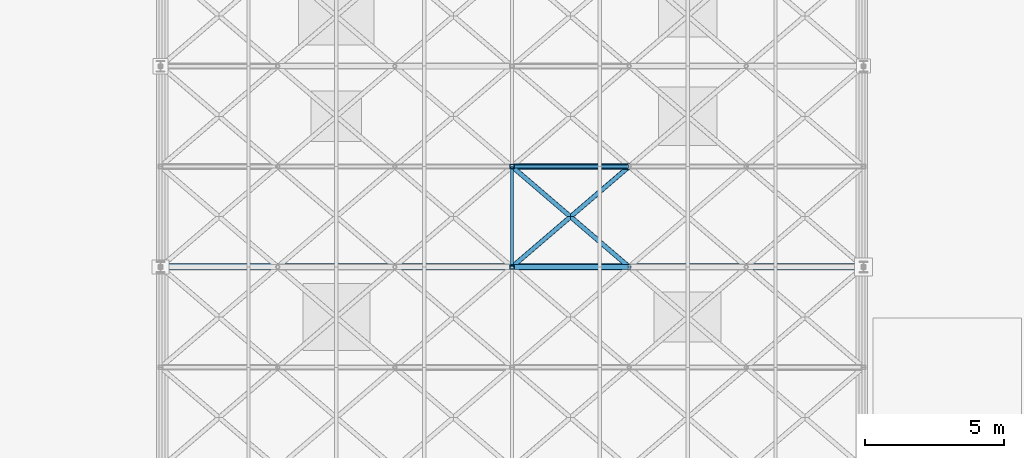
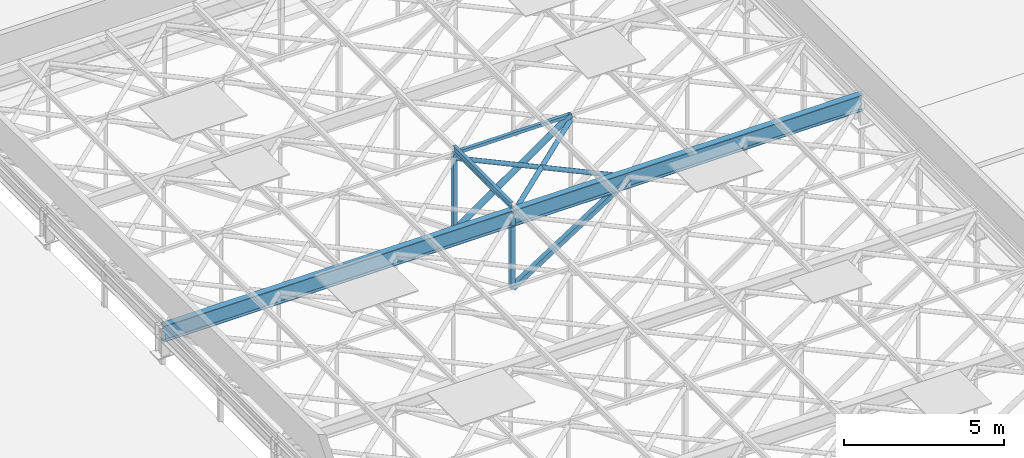
# One storey, part 20 of 45: 8 members, 1 beam.
"""IFC4 building model written with IfcOpenShell, lengths in metres."""

from ifc_helpers import new_model, si_unit, derived_unit, direction, frame, origin, origin_2d, place, context, subcontext, project, spatial, hollow_rectangle, hollow_circle, i_section, extrude, material, material_profile, profile_set, type_object, element, save


model = new_model("IFC4")

# Units and contexts
model_context = context("Model", 3, precision=1e-05, world=origin(), true_north=direction((0.0, 1.0)))
body_context = subcontext(model_context, "Body", "Model", "MODEL_VIEW")
ifc_project = project(units=[si_unit("LENGTHUNIT", "METRE"), si_unit("AREAUNIT", "SQUARE_METRE"), si_unit("VOLUMEUNIT", "CUBIC_METRE"), si_unit("PLANEANGLEUNIT", "RADIAN"), si_unit("MASSUNIT", "GRAM", prefix="KILO"), derived_unit("THERMALTRANSMITTANCEUNIT", [(si_unit("MASSUNIT", "GRAM", prefix="KILO"), 1), (si_unit("TIMEUNIT", "SECOND"), -3), (si_unit("THERMODYNAMICTEMPERATUREUNIT", "KELVIN"), -1)])], contexts=[model_context])

# Site, building, storey
site_placement = place(None, origin())
site = spatial("IfcSite", under=ifc_project, at=site_placement, CompositionType="ELEMENT")
building_placement = place(site_placement, origin())
building = spatial("IfcBuilding", under=site, at=building_placement, Name="Veldstrom Oceanarium and Marine Research Institute", CompositionType="ELEMENT")
storey_placement = place(building_placement, frame((0.0, 0.0, 22.199951171875)))
storey = spatial("IfcBuildingStorey", under=building, at=storey_placement, Name="L04", CompositionType="ELEMENT", Elevation=22.199951171875)

# Beam
ifc_material_1 = material(Name="Steel S355JR", Category="steel")
ifc_material_profile_1 = material_profile(ifc_material_1, i_section(OverallWidth=0.230224609375, OverallDepth=0.6171875, WebThickness=0.01318359375, FlangeThickness=0.022216796875, FilletRadius=0.0126953125, at=origin_2d()), Name="UB 610x229x140")
ifc_profile_set_1 = profile_set([ifc_material_profile_1], Name="Steel S355JR")
beam_type = type_object("IfcBeamType", Name="STR-BM-SB1", PredefinedType="BEAM", material=ifc_profile_set_1)
beam_placement = place(storey_placement, frame((16.800048828125, 43.199951171875, 0.801513671875), z_axis=(1.0, 0.0, 0.0), x_axis=(0.0, 1.0, 0.0)))
element("IfcBeam", 1, at=beam_placement, inside=storey, type_object=beam_type, Name="Aquarium Roof Truss Top-Chord Girder RT09", PredefinedType="BEAM", context=body_context, shape_type="SweptSolid", body=[
    extrude(i_section(OverallWidth=0.230224609375, OverallDepth=0.6171875, WebThickness=0.01318359375, FlangeThickness=0.022216796875, FilletRadius=0.0126953125, at=origin_2d()), origin(), (0.0, 0.0, 1.0), 25.199951171875),
])

# Members
ifc_material_2 = material(Name="Steel S355JR", Category="steel")
ifc_material_profile_2 = material_profile(ifc_material_2, hollow_circle(Radius=0.109619140625, WallThickness=0.012451171875, at=origin_2d()), Name="CHS 219.1x12.5")
ifc_profile_set_2 = profile_set([ifc_material_profile_2], Name="Steel S355JR")
member_type_1 = type_object("IfcMemberType", Name="STR-MEM-BR1", PredefinedType="BRACE", material=ifc_profile_set_2)
member_1_placement = place(storey_placement, frame((29.39990234375, 46.800048828125, -1.89990234375), z_axis=(0.81833258052, 0.0, 0.574744976193), x_axis=(0.0, 1.0, 0.0)))
element("IfcMember", 2, at=member_1_placement, inside=storey, type_object=member_type_1, Name="Truss Web Diagonal RT10-4", PredefinedType="BRACE", context=body_context, shape_type="SweptSolid", body=[
    extrude(hollow_circle(Radius=0.109619140625, WallThickness=0.012451171875, at=origin_2d()), origin(), (0.0, 0.0, 1.0), 5.132568359375),
])
ifc_material_3 = material(Name="Steel S355JR", Category="steel")
ifc_material_profile_3 = material_profile(ifc_material_3, hollow_circle(Radius=0.084228515625, WallThickness=0.008056640625, at=origin_2d()), Name="CHS 168.3x8")
ifc_profile_set_3 = profile_set([ifc_material_profile_3], Name="Steel S355JR")
member_type_2 = type_object("IfcMemberType", Name="STR-MEM-BR3", PredefinedType="BRACE", material=ifc_profile_set_3)
for number, where, z_axis, x_axis, name in (
    (3, (29.39990234375, 43.199951171875, 0.860107421875), (0.759262832861, 0.650784104474, 0.0), (-0.650784104474, 0.759262832861, 0.0), "Roof Plan Wind Brace WB-09-4"),
    (4, (33.60009765625, 43.199951171875, 0.860107421875), (-0.759262832861, 0.650784104474, 0.0), (-0.650784104474, -0.759262832861, 0.0), "Roof Plan Counter Wind Brace WB-09-4B"),
):
    element("IfcMember", number, at=place(storey_placement, frame(where, z_axis=z_axis, x_axis=x_axis)), inside=storey, type_object=member_type_2, Name=name, PredefinedType="BRACE", context=body_context, shape_type="SweptSolid", body=[
        extrude(hollow_circle(Radius=0.084228515625, WallThickness=0.008056640625, at=origin_2d()), origin(), (0.0, 0.0, 1.0), 5.531982421875),
    ])
ifc_material_4 = material(Name="Steel S355JR", Category="steel")
ifc_material_profile_4 = material_profile(ifc_material_4, hollow_rectangle(XDim=0.179931640625, YDim=0.179931640625, WallThickness=0.010009765625, at=origin_2d()), Name="SHS 180x180x10")
ifc_profile_set_4 = profile_set([ifc_material_profile_4], Name="Steel S355JR")
member_type_3 = type_object("IfcMemberType", Name="STR-MEM-BR4", PredefinedType="BRACE", material=ifc_profile_set_4)
member_2_placement = place(storey_placement, frame((29.39990234375, 43.199951171875, -1.89990234375), z_axis=(0.841060913667, 0.0, 0.540940421398), x_axis=(0.0, 1.0, 0.0)))
element("IfcMember", 5, at=member_2_placement, inside=storey, type_object=member_type_3, Name="Truss Web Diagonal RT09-4", PredefinedType="BRACE", context=body_context, shape_type="SweptSolid", body=[
    extrude(hollow_rectangle(XDim=0.179931640625, YDim=0.179931640625, WallThickness=0.010009765625, at=origin_2d()), origin(), (0.0, 0.0, 1.0), 4.993896484375),
])
ifc_material_5 = material(Name="Steel S355JR", Category="steel")
ifc_material_profile_5 = material_profile(ifc_material_5, i_section(OverallWidth=0.1201171875, OverallDepth=0.239990234375, WebThickness=0.006103515625, FlangeThickness=0.009765625, FilletRadius=0.014892578125, at=origin_2d()), Name="IPE 240")
ifc_profile_set_5 = profile_set([ifc_material_profile_5], Name="Steel S355JR")
member_type_4 = type_object("IfcMemberType", Name="STR-MEM-PR1", PredefinedType="PURLIN", material=ifc_profile_set_5)
member_3_placement = place(storey_placement, frame((29.39990234375, 43.199951171875, 1.22998046875), z_axis=(0.0, 1.0, 0.0), x_axis=(-1.0, 0.0, 0.0)))
element("IfcMember", 6, at=member_3_placement, inside=storey, type_object=member_type_4, Name="Hall Roof Purlin PR-10-5", PredefinedType="PURLIN", context=body_context, shape_type="SweptSolid", body=[
    extrude(i_section(OverallWidth=0.1201171875, OverallDepth=0.239990234375, WebThickness=0.006103515625, FlangeThickness=0.009765625, FilletRadius=0.014892578125, at=origin_2d()), origin(), (0.0, 0.0, 1.0), 3.60009765625),
])
ifc_material_6 = material(Name="Steel S355JR", Category="steel")
ifc_material_profile_6 = material_profile(ifc_material_6, hollow_rectangle(XDim=0.14990234375, YDim=0.14990234375, WallThickness=0.010009765625, at=origin_2d()), Name="SHS 150x150x10")
ifc_profile_set_6 = profile_set([ifc_material_profile_6], Name="Steel S355JR")
member_type_5 = type_object("IfcMemberType", Name="STR-MEM-PS1", PredefinedType="POST", material=ifc_profile_set_6)
member_4_placement = place(storey_placement, frame((29.39990234375, 43.199951171875, -1.89990234375), z_axis=(0.0, 0.0, 1.0), x_axis=(1.0, 0.0, 0.0)))
element("IfcMember", 7, at=member_4_placement, inside=storey, type_object=member_type_5, Name="Truss Vertical Post RT09-4", PredefinedType="POST", context=body_context, shape_type="SweptSolid", body=[
    extrude(hollow_rectangle(XDim=0.14990234375, YDim=0.14990234375, WallThickness=0.010009765625, at=origin_2d()), origin(), (0.0, 0.0, 1.0), 2.701416015625),
])
member_5_placement = place(storey_placement, frame((29.39990234375, 46.800048828125, -1.89990234375), z_axis=(0.0, 0.0, 1.0), x_axis=(1.0, 0.0, 0.0)))
element("IfcMember", 8, at=member_5_placement, inside=storey, type_object=member_type_5, Name="Truss Vertical Post RT10-4", PredefinedType="POST", context=body_context, shape_type="SweptSolid", body=[
    extrude(hollow_rectangle(XDim=0.14990234375, YDim=0.14990234375, WallThickness=0.010009765625, at=origin_2d()), origin(), (0.0, 0.0, 1.0), 2.949951171875),
])
ifc_material_7 = material(Name="Steel S355JR", Category="steel")
ifc_material_profile_7 = material_profile(ifc_material_7, hollow_rectangle(XDim=0.1201171875, YDim=0.1201171875, WallThickness=0.008056640625, at=origin_2d()), Name="SHS 120x120x8")
ifc_profile_set_7 = profile_set([ifc_material_profile_7], Name="Steel S355JR")
member_type_6 = type_object("IfcMemberType", Name="STR-MEM-RF1", PredefinedType="RAFTER", material=ifc_profile_set_7)
member_6_placement = place(storey_placement, frame((29.39990234375, 46.800048828125, 1.050048828125), z_axis=(1.0, 0.0, 0.0), x_axis=(0.0, 1.0, 0.0)))
element("IfcMember", 9, at=member_6_placement, inside=storey, type_object=member_type_6, Name="Truss Top Rafter RT10-4", PredefinedType="RAFTER", context=body_context, shape_type="SweptSolid", body=[
    extrude(hollow_rectangle(XDim=0.1201171875, YDim=0.1201171875, WallThickness=0.008056640625, at=origin_2d()), origin(), (0.0, 0.0, 1.0), 4.2001953125),
])

save(model, "model.ifc")
